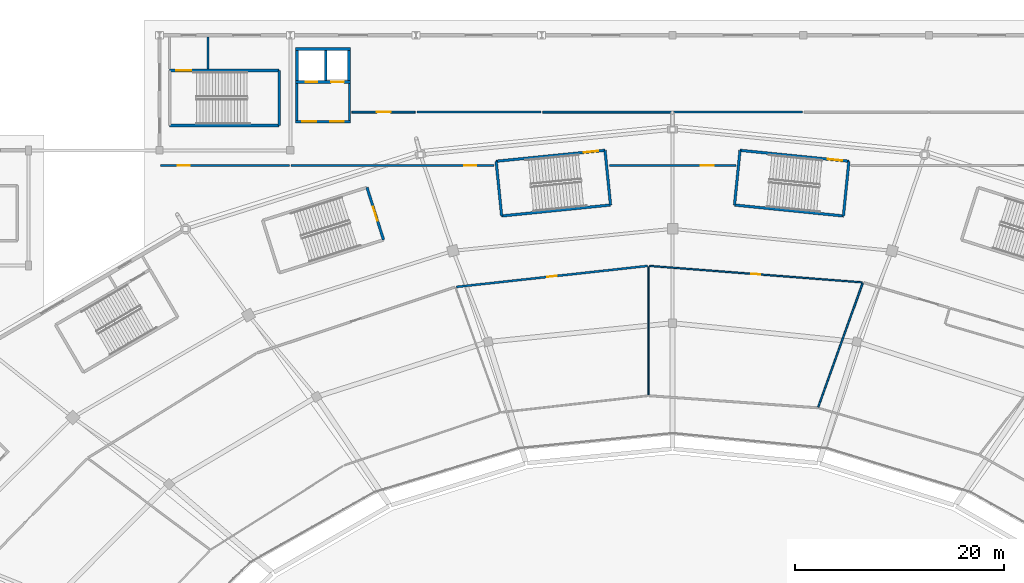
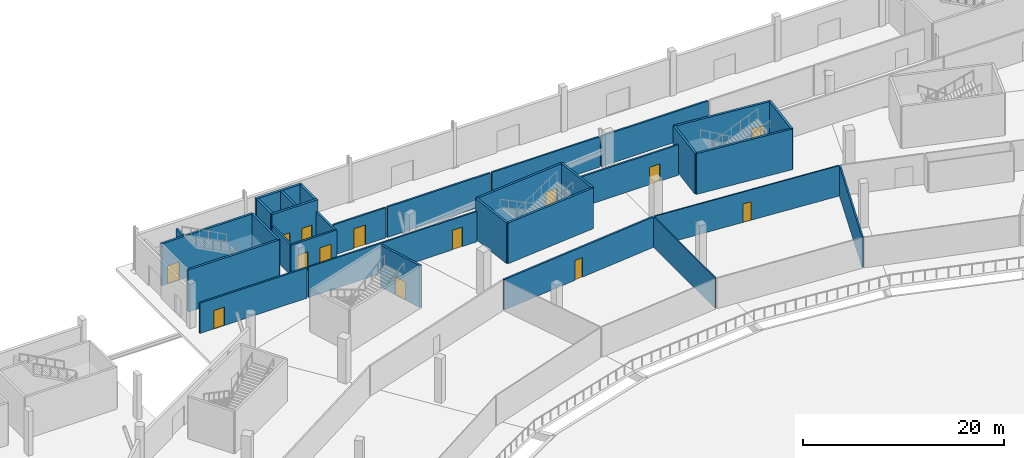
# One storey, part 50 of 82: 32 walls, 14 doors, 14 openings.
"""IFC4 building model written with IfcOpenShell, lengths in metres."""

from ifc_helpers import new_model, si_unit, direction, frame, frame_2d, origin, place, context, subcontext, project, spatial, rectangle, extrude, material, layer, layer_set, type_object, element, fill, save


model = new_model("IFC4")

# Units and contexts
model_context = context("Model", 3, precision=1e-05, world=origin(), true_north=direction((0.0, 1.0)))
body_context = subcontext(model_context, "Body", "Model", "MODEL_VIEW")
ifc_project = project(units=[si_unit("LENGTHUNIT", "METRE"), si_unit("AREAUNIT", "SQUARE_METRE"), si_unit("VOLUMEUNIT", "CUBIC_METRE"), si_unit("PLANEANGLEUNIT", "RADIAN"), si_unit("MASSUNIT", "GRAM", prefix="KILO")], contexts=[model_context])

# Site, building, storey
site_placement = place(None, origin())
site = spatial("IfcSite", under=ifc_project, at=site_placement, CompositionType="ELEMENT")
building_placement = place(site_placement, origin())
building = spatial("IfcBuilding", under=site, at=building_placement, Name="Zlatoyarsky Gate Stadium", CompositionType="ELEMENT")
storey_placement = place(building_placement, origin())
storey = spatial("IfcBuildingStorey", under=building, at=storey_placement, Name="L00", CompositionType="ELEMENT", Elevation=0.0)

# Wall, opening, door
ifc_material_1 = material(Name="Moisture-resistant masonry partition", Category="masonry")
ifc_layer_1 = layer(ifc_material_1, 0.139892578125)
ifc_layer_set_1 = layer_set([ifc_layer_1], Name="Moisture-resistant masonry partition")
wall_type_1 = type_object("IfcWallType", Name="ATHLETE CHANGING BLOCK PARTITION 140", PredefinedType="PARTITIONING", material=ifc_layer_set_1)
wall_1_placement = place(storey_placement, frame((129.10107421875, 136.392333984375, 0.0), z_axis=(0.0, 0.0, 1.0), x_axis=(-0.997013657181, 0.077225432307, 0.0)))
wall_1 = element("IfcWall", 1, at=wall_1_placement, inside=storey, type_object=wall_type_1, Name="L00 interior partition PRT-L00-ICC-05", PredefinedType="PARTITIONING", context=body_context, shape_type="SweptSolid", body=[
    extrude(rectangle(XDim=20.36572265625, YDim=0.139892578125, at=frame_2d((10.182861328125, 0.0))), origin(), (0.0, 0.0, 1.0), 3.68994140625),
])
opening_1_placement = place(wall_1_placement, frame((9.73291015625, 0.0, 0.0)))
opening_1 = element("IfcOpeningElement", 2, at=opening_1_placement, cuts=wall_1, Name="Opening D-L00-123", PredefinedType="OPENING", context=body_context, shape_type="SweptSolid", body=[
    extrude(rectangle(XDim=0.89990234375, YDim=2.239990234375, at=frame_2d((0.449951171875, 1.1201171875))), frame((0.0, 0.079833984375, 0.0), z_axis=(0.0, -1.0, 0.0), x_axis=(1.0, 0.0, 0.0)), (0.0, 0.0, 1.0), 0.159912109375),
])
ifc_material_2 = material(Name="Powder-coated steel fire door", Category="steel")
door_type_1 = type_object("IfcDoorType", Name="ACOUSTIC INTERIOR DOOR 900X2240", OperationType="NOTDEFINED", PredefinedType="DOOR", material=ifc_material_2)
door_1_placement = place(opening_1_placement, origin())
door_1 = element("IfcDoor", 3, at=door_1_placement, inside=storey, type_object=door_type_1, Name="L00 room door D-L00-123", OperationType="SINGLE_SWING_RIGHT", OverallHeight=2.239990234375, OverallWidth=0.89990234375, PredefinedType="DOOR", context=body_context, shape_type="SweptSolid", body=[
    extrude(rectangle(XDim=0.89990234375, YDim=2.239990234375, at=frame_2d((0.449951171875, 1.1201171875))), frame((0.0, 0.02490234375, 0.0), z_axis=(0.0, -1.0, 0.0), x_axis=(1.0, 0.0, 0.0)), (0.0, 0.0, 1.0), 0.050048828125),
])
fill(opening_1, door_1)

ifc_material_3 = material(Name="Gypsum-clad mineral wool fire partition", Category="gypsum")
ifc_layer_2 = layer(ifc_material_3, 0.199951171875)
ifc_layer_set_2 = layer_set([ifc_layer_2], Name="Gypsum-clad mineral wool fire partition")
wall_type_2 = type_object("IfcWallType", Name="COMPARTMENT FIRE PARTITION WALL 200", PredefinedType="PARTITIONING", material=ifc_layer_set_2)
wall_2_placement = place(storey_placement, frame((108.626953125, 137.96240234375, 0.0), z_axis=(0.0, 0.0, 1.0), x_axis=(-0.994034030754, -0.109070370416, 0.0)))
wall_2 = element("IfcWall", 4, at=wall_2_placement, inside=storey, type_object=wall_type_2, Name="L00 interior partition PRT-L00-ICC-06", PredefinedType="PARTITIONING", context=body_context, shape_type="SweptSolid", body=[
    extrude(rectangle(XDim=18.38818359375, YDim=0.199951171875, at=frame_2d((9.194091796875, 0.0))), origin(), (0.0, 0.0, 1.0), 3.68994140625),
])
opening_2_placement = place(wall_2_placement, frame((8.744140625, 0.0, 0.0)))
opening_2 = element("IfcOpeningElement", 5, at=opening_2_placement, cuts=wall_2, Name="Opening D-L00-126", PredefinedType="OPENING", context=body_context, shape_type="SweptSolid", body=[
    extrude(rectangle(XDim=0.89990234375, YDim=2.3798828125, at=frame_2d((0.449951171875, 1.18994140625))), frame((0.0, 0.10986328125, 0.0), z_axis=(0.0, -1.0, 0.0), x_axis=(1.0, 0.0, 0.0)), (0.0, 0.0, 1.0), 0.219970703125),
])
door_type_2 = type_object("IfcDoorType", Name="ACOUSTIC INTERIOR DOOR 900X2380", OperationType="NOTDEFINED", PredefinedType="DOOR", material=ifc_material_2)
door_2_placement = place(opening_2_placement, origin())
door_2 = element("IfcDoor", 6, at=door_2_placement, inside=storey, type_object=door_type_2, Name="L00 room door D-L00-126", OperationType="SINGLE_SWING_LEFT", OverallHeight=2.3798828125, OverallWidth=0.89990234375, PredefinedType="DOOR", context=body_context, shape_type="SweptSolid", body=[
    extrude(rectangle(XDim=0.89990234375, YDim=2.3798828125, at=frame_2d((0.449951171875, 1.18994140625))), frame((0.0, 0.02490234375, 0.0), z_axis=(0.0, -1.0, 0.0), x_axis=(1.0, 0.0, 0.0)), (0.0, 0.0, 1.0), 0.050048828125),
])
fill(opening_2, door_2)

wall_3_placement = place(storey_placement, frame((62.10498046875, 147.550048828125, 0.0), z_axis=(0.0, 0.0, 1.0), x_axis=(1.0, 0.0, 0.0)))
wall_3 = element("IfcWall", 7, at=wall_3_placement, inside=storey, type_object=wall_type_2, Name="L00 interior partition PRT-L00-V2NC-SW1A", PredefinedType="PARTITIONING", context=body_context, shape_type="SweptSolid", body=[
    extrude(rectangle(XDim=12.31005859375, YDim=0.199951171875, at=frame_2d((6.155029296875, 0.0))), origin(), (0.0, 0.0, 1.0), 3.68994140625),
])
opening_3_placement = place(wall_3_placement, frame((1.64990234375, 0.0, 0.0)))
opening_3 = element("IfcOpeningElement", 8, at=opening_3_placement, cuts=wall_3, Name="Opening D-L00-186", PredefinedType="OPENING", context=body_context, shape_type="SweptSolid", body=[
    extrude(rectangle(XDim=1.159912109375, YDim=2.239990234375, at=frame_2d((0.580078125, 1.1201171875))), frame((0.0, 0.10986328125, 0.0), z_axis=(0.0, -1.0, 0.0), x_axis=(1.0, 0.0, 0.0)), (0.0, 0.0, 1.0), 0.219970703125),
])
door_type_3 = type_object("IfcDoorType", Name="ACOUSTIC INTERIOR DOOR 1160X2240", OperationType="NOTDEFINED", PredefinedType="DOOR", material=ifc_material_2)
door_3_placement = place(opening_3_placement, origin())
door_3 = element("IfcDoor", 9, at=door_3_placement, inside=storey, type_object=door_type_3, Name="L00 room door D-L00-186", OperationType="SINGLE_SWING_RIGHT", OverallHeight=2.239990234375, OverallWidth=1.159912109375, PredefinedType="DOOR", context=body_context, shape_type="SweptSolid", body=[
    extrude(rectangle(XDim=1.159912109375, YDim=2.239990234375, at=frame_2d((0.580078125, 1.1201171875))), frame((0.0, 0.02490234375, 0.0), z_axis=(0.0, -1.0, 0.0), x_axis=(1.0, 0.0, 0.0)), (0.0, 0.0, 1.0), 0.050048828125),
])
fill(opening_3, door_3)

wall_4_placement = place(storey_placement, frame((104.96044921875, 147.550048828125, 0.0), z_axis=(0.0, 0.0, 1.0), x_axis=(1.0, 0.0, 0.0)))
wall_4 = element("IfcWall", 10, at=wall_4_placement, inside=storey, type_object=wall_type_2, Name="L00 interior partition PRT-L00-V2NC-S2", PredefinedType="PARTITIONING", context=body_context, shape_type="SweptSolid", body=[
    extrude(rectangle(XDim=12.079345703125, YDim=0.199951171875, at=frame_2d((6.03955078125, 0.0))), origin(), (0.0, 0.0, 1.0), 3.68994140625),
])
opening_4_placement = place(wall_4_placement, frame((8.729248046875, 0.0, 0.0)))
opening_4 = element("IfcOpeningElement", 11, at=opening_4_placement, cuts=wall_4, Name="Opening D-L00-188", PredefinedType="OPENING", context=body_context, shape_type="SweptSolid", body=[
    extrude(rectangle(XDim=1.239990234375, YDim=2.10009765625, at=frame_2d((0.6201171875, 1.050048828125))), frame((0.0, 0.10986328125, 0.0), z_axis=(0.0, -1.0, 0.0), x_axis=(1.0, 0.0, 0.0)), (0.0, 0.0, 1.0), 0.219970703125),
])
door_type_4 = type_object("IfcDoorType", Name="ACOUSTIC INTERIOR DOOR 1240X2100", OperationType="NOTDEFINED", PredefinedType="DOOR", material=ifc_material_2)
door_4_placement = place(opening_4_placement, origin())
door_4 = element("IfcDoor", 12, at=door_4_placement, inside=storey, type_object=door_type_4, Name="L00 room door D-L00-188", OperationType="SINGLE_SWING_RIGHT", OverallHeight=2.10009765625, OverallWidth=1.239990234375, PredefinedType="DOOR", context=body_context, shape_type="SweptSolid", body=[
    extrude(rectangle(XDim=1.239990234375, YDim=2.10009765625, at=frame_2d((0.6201171875, 1.050048828125))), frame((0.0, 0.02490234375, 0.0), z_axis=(0.0, -1.0, 0.0), x_axis=(1.0, 0.0, 0.0)), (0.0, 0.0, 1.0), 0.050048828125),
])
fill(opening_4, door_4)

# Walls
wall_5_placement = place(storey_placement, frame((86.5849609375, 152.64990234375, 0.0), z_axis=(0.0, 0.0, 1.0), x_axis=(1.0, 0.0, 0.0)))
element("IfcWall", 13, at=wall_5_placement, inside=storey, type_object=wall_type_2, Name="L00 interior partition PRT-L00-V2NC-N3_2", PredefinedType="PARTITIONING", context=body_context, shape_type="SweptSolid", body=[
    extrude(rectangle(XDim=11.830078125, YDim=0.199951171875, at=frame_2d((5.9150390625, 0.0))), origin(), (0.0, 0.0, 1.0), 3.68994140625),
])
wall_6_placement = place(storey_placement, frame((111.0849609375, 152.64990234375, 0.0), z_axis=(0.0, 0.0, 1.0), x_axis=(1.0, 0.0, 0.0)))
element("IfcWall", 14, at=wall_6_placement, inside=storey, type_object=wall_type_2, Name="L00 interior partition PRT-L00-V2NC-N3_4", PredefinedType="PARTITIONING", context=body_context, shape_type="SweptSolid", body=[
    extrude(rectangle(XDim=12.330078125, YDim=0.199951171875, at=frame_2d((6.1650390625, 0.0))), origin(), (0.0, 0.0, 1.0), 3.68994140625),
])
ifc_material_4 = material(Name="Concrete C40/50", Category="concrete")
ifc_layer_3 = layer(ifc_material_4, 0.27001953125)
ifc_layer_set_3 = layer_set([ifc_layer_3], Name="Concrete C40/50")
wall_type_3 = type_object("IfcWallType", Name="CONCRETE LIFT SHAFT SHEAR WALL 270", PredefinedType="SHEAR", material=ifc_layer_set_3)
wall_7_placement = place(storey_placement, frame((80.25, 158.6650390625, 0.0), z_axis=(0.0, 0.0, 1.0), x_axis=(-1.0, 0.0, 0.0)))
element("IfcWall", 15, at=wall_7_placement, inside=storey, type_object=wall_type_3, Name="C5 L00 lift shaft rear wall", PredefinedType="SHEAR", context=body_context, shape_type="SweptSolid", body=[
    extrude(rectangle(XDim=5.25, YDim=0.27001953125, at=frame_2d((2.625, 0.0))), origin(), (0.0, 0.0, 1.0), 5.10009765625),
])
for number, where, z_axis, x_axis, name in (
    (16, (80.114990234375, 158.52001953125, 0.0), (0.0, 0.0, 1.0), (0.0, -1.0, 0.0), "C5 L00 lift shaft left wall"),
    (17, (75.135009765625, 158.52001953125, 0.0), (0.0, 0.0, 1.0), (0.0, -1.0, 0.0), "C5 L00 lift shaft right wall"),
    (18, (77.875, 158.52001953125, 0.0), (0.0, 0.0, 1.0), (0.0, -1.0, 0.0), "C5 L00 lift shaft divider 1"),
):
    element("IfcWall", number, at=place(storey_placement, frame(where, z_axis=z_axis, x_axis=x_axis)), inside=storey, type_object=wall_type_3, Name=name, PredefinedType="SHEAR", context=body_context, shape_type="SweptSolid", body=[
        extrude(rectangle(XDim=2.840087890625, YDim=0.27001953125, at=frame_2d((1.419921875, 0.0))), origin(), (0.0, 0.0, 1.0), 5.10009765625),
    ])

# Wall, openings, doors
wall_8_placement = place(storey_placement, frame((80.25, 155.534912109375, 0.0), z_axis=(0.0, 0.0, 1.0), x_axis=(-1.0, 0.0, 0.0)))
wall_8 = element("IfcWall", 19, at=wall_8_placement, inside=storey, type_object=wall_type_3, Name="C5 L00 lift landing front wall", PredefinedType="SHEAR", context=body_context, shape_type="SweptSolid", body=[
    extrude(rectangle(XDim=5.25, YDim=0.27001953125, at=frame_2d((2.625, 0.0))), origin(), (0.0, 0.0, 1.0), 5.10009765625),
])
opening_5_placement = place(wall_8_placement, frame((0.64990234375, 0.0, 0.0)))
opening_5 = element("IfcOpeningElement", 20, at=opening_5_placement, cuts=wall_8, Name="Opening LD-FL-05-L00", PredefinedType="OPENING", context=body_context, shape_type="SweptSolid", body=[
    extrude(rectangle(XDim=1.199951171875, YDim=2.25, at=frame_2d((0.60009765625, 1.125))), frame((0.0, 0.14501953125, 0.0), z_axis=(0.0, -1.0, 0.0), x_axis=(1.0, 0.0, 0.0)), (0.0, 0.0, 1.0), 0.2900390625),
])
opening_6_placement = place(wall_8_placement, frame((3.199951171875, 0.0, 0.0)))
opening_6 = element("IfcOpeningElement", 21, at=opening_6_placement, cuts=wall_8, Name="Opening LD-LF-09-L00", PredefinedType="OPENING", context=body_context, shape_type="SweptSolid", body=[
    extrude(rectangle(XDim=1.10009765625, YDim=2.199951171875, at=frame_2d((0.550048828125, 1.10009765625))), frame((0.0, 0.14501953125, 0.0), z_axis=(0.0, -1.0, 0.0), x_axis=(1.0, 0.0, 0.0)), (0.0, 0.0, 1.0), 0.2900390625),
])
door_type_5 = type_object("IfcDoorType", Name="STAINLESS LIFT LANDING SLIDING DOOR 1100X2200", OperationType="DOUBLE_DOOR_SLIDING", PredefinedType="DOOR", material=ifc_material_2)
door_5_placement = place(opening_6_placement, origin())
door_5 = element("IfcDoor", 22, at=door_5_placement, inside=storey, type_object=door_type_5, Name="Lift LF-09 L00 sliding landing door", OperationType="DOUBLE_DOOR_SLIDING", OverallHeight=2.199951171875, OverallWidth=1.10009765625, PredefinedType="DOOR", context=body_context, shape_type="SweptSolid", body=[
    extrude(rectangle(XDim=1.10009765625, YDim=2.199951171875, at=frame_2d((0.550048828125, 1.10009765625))), frame((0.0, 0.02490234375, 0.0), z_axis=(0.0, -1.0, 0.0), x_axis=(1.0, 0.0, 0.0)), (0.0, 0.0, 1.0), 0.050048828125),
])
fill(opening_6, door_5)
door_type_6 = type_object("IfcDoorType", Name="STAINLESS LIFT LANDING SLIDING DOOR 1200X2250", OperationType="DOUBLE_DOOR_SLIDING", PredefinedType="DOOR", material=ifc_material_2)
door_6_placement = place(opening_5_placement, origin())
door_6 = element("IfcDoor", 23, at=door_6_placement, inside=storey, type_object=door_type_6, Name="Lift FL-05 L00 sliding landing door", OperationType="DOUBLE_DOOR_SLIDING", OverallHeight=2.25, OverallWidth=1.199951171875, PredefinedType="DOOR", context=body_context, shape_type="SweptSolid", body=[
    extrude(rectangle(XDim=1.199951171875, YDim=2.25, at=frame_2d((0.60009765625, 1.125))), frame((0.0, 0.02490234375, 0.0), z_axis=(0.0, -1.0, 0.0), x_axis=(1.0, 0.0, 0.0)), (0.0, 0.0, 1.0), 0.050048828125),
])
fill(opening_5, door_6)

# Wall
ifc_layer_4 = layer(ifc_material_4, 0.25)
ifc_layer_set_4 = layer_set([ifc_layer_4], Name="Concrete C40/50")
wall_type_4 = type_object("IfcWallType", Name="CONCRETE STAIR CORE SHEAR WALL 250", PredefinedType="SHEAR", material=ifc_layer_set_4)
wall_9_placement = place(storey_placement, frame((105.07861328125, 143.779052734375, 0.0), z_axis=(0.0, 0.0, 1.0), x_axis=(-0.100028593886, 0.994984562898, 0.0)))
element("IfcWall", 24, at=wall_9_placement, inside=storey, type_object=wall_type_4, Name="ST-04 L00 stair core entrance shear wall", PredefinedType="SHEAR", context=body_context, shape_type="SweptSolid", body=[
    extrude(rectangle(XDim=5.25, YDim=0.25, at=frame_2d((2.625, 0.0))), origin(), (0.0, 0.0, 1.0), 4.93994140625),
])

# Wall, opening, door
wall_10_placement = place(storey_placement, frame((104.553466796875, 149.002685546875, 0.0), z_axis=(0.0, 0.0, 1.0), x_axis=(-0.994985938948, -0.100014905366, 0.0)))
wall_10 = element("IfcWall", 25, at=wall_10_placement, inside=storey, type_object=wall_type_4, Name="ST-04 L00 stair core left shear wall", PredefinedType="SHEAR", context=body_context, shape_type="SweptSolid", body=[
    extrude(rectangle(XDim=10.4501953125, YDim=0.25, at=frame_2d((5.22509765625, 0.0))), origin(), (0.0, 0.0, 1.0), 4.93994140625),
])
opening_7_placement = place(wall_10_placement, frame((0.64990234375, 0.0, 0.0)))
opening_7 = element("IfcOpeningElement", 26, at=opening_7_placement, cuts=wall_10, Name="Opening SD-ST-04-L00", PredefinedType="OPENING", context=body_context, shape_type="SweptSolid", body=[
    extrude(rectangle(XDim=1.39990234375, YDim=2.199951171875, at=frame_2d((0.699951171875, 1.10009765625))), frame((0.0, 0.135009765625, 0.0), z_axis=(0.0, -1.0, 0.0), x_axis=(1.0, 0.0, 0.0)), (0.0, 0.0, 1.0), 0.27001953125),
])
door_type_7 = type_object("IfcDoorType", Name="STAIR CORE FIRE EXIT DOOR 1400X2200", OperationType="NOTDEFINED", PredefinedType="DOOR", material=ifc_material_2)
door_7_placement = place(opening_7_placement, frame((1.39990234375, 0.0, 0.0), z_axis=(0.0, 0.0, 1.0), x_axis=(-1.0, 0.0, 0.0)))
door_7 = element("IfcDoor", 27, at=door_7_placement, inside=storey, type_object=door_type_7, Name="ST-04 L00 protected exit discharge fire door", OperationType="SINGLE_SWING_RIGHT", OverallHeight=2.199951171875, OverallWidth=1.39990234375, PredefinedType="DOOR", context=body_context, shape_type="SweptSolid", body=[
    extrude(rectangle(XDim=1.39990234375, YDim=2.199951171875, at=frame_2d((0.699951171875, 1.10009765625))), frame((0.0, 0.02490234375, 0.0), z_axis=(0.0, -1.0, 0.0), x_axis=(1.0, 0.0, 0.0)), (0.0, 0.0, 1.0), 0.050048828125),
])
fill(opening_7, door_7)

# Walls
wall_11_placement = place(storey_placement, frame((94.15576171875, 147.95751953125, 0.0), z_axis=(0.0, 0.0, 1.0), x_axis=(0.100028593886, -0.994984562898, 0.0)))
element("IfcWall", 28, at=wall_11_placement, inside=storey, type_object=wall_type_4, Name="ST-04 L00 stair core far shear wall", PredefinedType="SHEAR", context=body_context, shape_type="SweptSolid", body=[
    extrude(rectangle(XDim=5.25, YDim=0.25, at=frame_2d((2.625, 0.0))), origin(), (0.0, 0.0, 1.0), 4.93994140625),
])
wall_12_placement = place(storey_placement, frame((94.680908203125, 142.73388671875, 0.0), z_axis=(0.0, 0.0, 1.0), x_axis=(0.994985938948, 0.100014905366, 0.0)))
element("IfcWall", 29, at=wall_12_placement, inside=storey, type_object=wall_type_4, Name="ST-04 L00 stair core right shear wall", PredefinedType="SHEAR", context=body_context, shape_type="SweptSolid", body=[
    extrude(rectangle(XDim=10.4501953125, YDim=0.25, at=frame_2d((5.22509765625, 0.0))), origin(), (0.0, 0.0, 1.0), 4.93994140625),
])

# Wall, opening, door
wall_13_placement = place(storey_placement, frame((83.400390625, 140.4521484375, 0.0), z_axis=(0.0, 0.0, 1.0), x_axis=(-0.30152749866, 0.953457480726, 0.0)))
wall_13 = element("IfcWall", 30, at=wall_13_placement, inside=storey, type_object=wall_type_4, Name="ST-14 L00 stair core entrance shear wall", PredefinedType="SHEAR", context=body_context, shape_type="SweptSolid", body=[
    extrude(rectangle(XDim=5.25, YDim=0.25, at=frame_2d((2.625, 0.0))), origin(), (0.0, 0.0, 1.0), 5.10009765625),
])
opening_8_placement = place(wall_13_placement, frame((1.925048828125, 0.0, 0.0)))
opening_8 = element("IfcOpeningElement", 31, at=opening_8_placement, cuts=wall_13, Name="Opening SD-ST-14-L00", PredefinedType="OPENING", context=body_context, shape_type="SweptSolid", body=[
    extrude(rectangle(XDim=1.39990234375, YDim=2.199951171875, at=frame_2d((0.699951171875, 1.10009765625))), frame((0.0, 0.135009765625, 0.0), z_axis=(0.0, -1.0, 0.0), x_axis=(1.0, 0.0, 0.0)), (0.0, 0.0, 1.0), 0.27001953125),
])
door_8_placement = place(opening_8_placement, frame((1.39990234375, 0.0, 0.0), z_axis=(0.0, 0.0, 1.0), x_axis=(-1.0, 0.0, 0.0)))
door_8 = element("IfcDoor", 32, at=door_8_placement, inside=storey, type_object=door_type_7, Name="ST-14 L00 stair fire door", OperationType="SINGLE_SWING_RIGHT", OverallHeight=2.199951171875, OverallWidth=1.39990234375, PredefinedType="DOOR", context=body_context, shape_type="SweptSolid", body=[
    extrude(rectangle(XDim=1.39990234375, YDim=2.199951171875, at=frame_2d((0.699951171875, 1.10009765625))), frame((0.0, 0.02490234375, 0.0), z_axis=(0.0, -1.0, 0.0), x_axis=(1.0, 0.0, 0.0)), (0.0, 0.0, 1.0), 0.050048828125),
])
fill(opening_8, door_8)

# Wall
wall_14_placement = place(storey_placement, frame((127.319091796875, 142.73388671875, 0.0), z_axis=(0.0, 0.0, 1.0), x_axis=(0.10002396577, 0.994985028165, 0.0)))
element("IfcWall", 33, at=wall_14_placement, inside=storey, type_object=wall_type_4, Name="ST-17 L00 stair core entrance shear wall", PredefinedType="SHEAR", context=body_context, shape_type="SweptSolid", body=[
    extrude(rectangle(XDim=5.250244140625, YDim=0.25, at=frame_2d((2.625, 0.0))), origin(), (0.0, 0.0, 1.0), 4.93994140625),
])

# Wall, opening, door
wall_15_placement = place(storey_placement, frame((127.84423828125, 147.957763671875, 0.0), z_axis=(0.0, 0.0, 1.0), x_axis=(-0.994988263568, 0.09999177647, 0.0)))
wall_15 = element("IfcWall", 34, at=wall_15_placement, inside=storey, type_object=wall_type_4, Name="ST-17 L00 stair core left shear wall", PredefinedType="SHEAR", context=body_context, shape_type="SweptSolid", body=[
    extrude(rectangle(XDim=10.4501953125, YDim=0.25, at=frame_2d((5.22509765625, 0.0))), origin(), (0.0, 0.0, 1.0), 4.93994140625),
])
opening_9_placement = place(wall_15_placement, frame((0.64990234375, 0.0, 0.0)))
opening_9 = element("IfcOpeningElement", 35, at=opening_9_placement, cuts=wall_15, Name="Opening SD-ST-17-L00", PredefinedType="OPENING", context=body_context, shape_type="SweptSolid", body=[
    extrude(rectangle(XDim=1.39990234375, YDim=2.199951171875, at=frame_2d((0.699951171875, 1.10009765625))), frame((0.0, 0.135009765625, 0.0), z_axis=(0.0, -1.0, 0.0), x_axis=(1.0, 0.0, 0.0)), (0.0, 0.0, 1.0), 0.27001953125),
])
door_9_placement = place(opening_9_placement, frame((1.39990234375, 0.0, 0.0), z_axis=(0.0, 0.0, 1.0), x_axis=(-1.0, 0.0, 0.0)))
door_9 = element("IfcDoor", 36, at=door_9_placement, inside=storey, type_object=door_type_7, Name="ST-17 L00 protected exit discharge fire door", OperationType="SINGLE_SWING_RIGHT", OverallHeight=2.199951171875, OverallWidth=1.39990234375, PredefinedType="DOOR", context=body_context, shape_type="SweptSolid", body=[
    extrude(rectangle(XDim=1.39990234375, YDim=2.199951171875, at=frame_2d((0.699951171875, 1.10009765625))), frame((0.0, 0.02490234375, 0.0), z_axis=(0.0, -1.0, 0.0), x_axis=(1.0, 0.0, 0.0)), (0.0, 0.0, 1.0), 0.050048828125),
])
fill(opening_9, door_9)

# Walls
wall_16_placement = place(storey_placement, frame((117.446533203125, 149.002685546875, 0.0), z_axis=(0.0, 0.0, 1.0), x_axis=(-0.099982555566, -0.994989190184, 0.0)))
element("IfcWall", 37, at=wall_16_placement, inside=storey, type_object=wall_type_4, Name="ST-17 L00 stair core far shear wall", PredefinedType="SHEAR", context=body_context, shape_type="SweptSolid", body=[
    extrude(rectangle(XDim=5.25, YDim=0.25, at=frame_2d((2.625, 0.0))), origin(), (0.0, 0.0, 1.0), 4.93994140625),
])
wall_17_placement = place(storey_placement, frame((116.921630859375, 143.779052734375, 0.0), z_axis=(0.0, 0.0, 1.0), x_axis=(0.994985705245, -0.100017230303, 0.0)))
element("IfcWall", 38, at=wall_17_placement, inside=storey, type_object=wall_type_4, Name="ST-17 L00 stair core right shear wall", PredefinedType="SHEAR", context=body_context, shape_type="SweptSolid", body=[
    extrude(rectangle(XDim=10.449951171875, YDim=0.25, at=frame_2d((5.22509765625, 0.0))), origin(), (0.0, 0.0, 1.0), 4.93994140625),
])
wall_18_placement = place(storey_placement, frame((62.97509765625, 151.375, 0.0), z_axis=(0.0, 0.0, 1.0), x_axis=(1.0, 0.0, 0.0)))
element("IfcWall", 39, at=wall_18_placement, inside=storey, type_object=wall_type_4, Name="ST-31 L00 stair core left shear wall", PredefinedType="SHEAR", context=body_context, shape_type="SweptSolid", body=[
    extrude(rectangle(XDim=10.449951171875, YDim=0.25, at=frame_2d((5.22509765625, 0.0))), origin(), (0.0, 0.0, 1.0), 5.10009765625),
])
wall_19_placement = place(storey_placement, frame((73.425048828125, 151.375, 0.0), z_axis=(0.0, 0.0, 1.0), x_axis=(0.0, 1.0, 0.0)))
element("IfcWall", 40, at=wall_19_placement, inside=storey, type_object=wall_type_4, Name="ST-31 L00 stair core far shear wall", PredefinedType="SHEAR", context=body_context, shape_type="SweptSolid", body=[
    extrude(rectangle(XDim=5.25, YDim=0.25, at=frame_2d((2.625, 0.0))), origin(), (0.0, 0.0, 1.0), 5.10009765625),
])

# Wall, opening, door
wall_20_placement = place(storey_placement, frame((73.425048828125, 156.625, 0.0), z_axis=(0.0, 0.0, 1.0), x_axis=(-1.0, 0.0, 0.0)))
wall_20 = element("IfcWall", 41, at=wall_20_placement, inside=storey, type_object=wall_type_4, Name="ST-31 L00 stair core right shear wall", PredefinedType="SHEAR", context=body_context, shape_type="SweptSolid", body=[
    extrude(rectangle(XDim=10.449951171875, YDim=0.25, at=frame_2d((5.22509765625, 0.0))), origin(), (0.0, 0.0, 1.0), 5.10009765625),
])
opening_10_placement = place(wall_20_placement, frame((8.39990234375, 0.0, 0.0)))
opening_10 = element("IfcOpeningElement", 42, at=opening_10_placement, cuts=wall_20, Name="Opening SD-ST-31-L00", PredefinedType="OPENING", context=body_context, shape_type="SweptSolid", body=[
    extrude(rectangle(XDim=1.39990234375, YDim=2.199951171875, at=frame_2d((0.699951171875, 1.10009765625))), frame((0.0, 0.135009765625, 0.0), z_axis=(0.0, -1.0, 0.0), x_axis=(1.0, 0.0, 0.0)), (0.0, 0.0, 1.0), 0.27001953125),
])
door_10_placement = place(opening_10_placement, frame((1.39990234375, 0.0, 0.0), z_axis=(0.0, 0.0, 1.0), x_axis=(-1.0, 0.0, 0.0)))
door_10 = element("IfcDoor", 43, at=door_10_placement, inside=storey, type_object=door_type_7, Name="ST-31 L00 protected exit discharge fire door", OperationType="SINGLE_SWING_RIGHT", OverallHeight=2.199951171875, OverallWidth=1.39990234375, PredefinedType="DOOR", context=body_context, shape_type="SweptSolid", body=[
    extrude(rectangle(XDim=1.39990234375, YDim=2.199951171875, at=frame_2d((0.699951171875, 1.10009765625))), frame((0.0, 0.02490234375, 0.0), z_axis=(0.0, -1.0, 0.0), x_axis=(1.0, 0.0, 0.0)), (0.0, 0.0, 1.0), 0.050048828125),
])
fill(opening_10, door_10)

# Walls
ifc_material_5 = material(Name="Autoclaved aerated concrete masonry EI 120", Category="masonry")
ifc_layer_5 = layer(ifc_material_5, 0.219970703125)
ifc_layer_set_5 = layer_set([ifc_layer_5], Name="Autoclaved aerated concrete masonry EI 120")
wall_type_5 = type_object("IfcWallType", Name="FIREFIGHTING LOBBY RATED WALL 220", PredefinedType="PARTITIONING", material=ifc_layer_set_5)
wall_21_placement = place(storey_placement, frame((66.639892578125, 156.760009765625, 0.0), z_axis=(0.0, 0.0, 1.0), x_axis=(0.0, 1.0, 0.0)))
element("IfcWall", 44, at=wall_21_placement, inside=storey, type_object=wall_type_5, Name="ST-31 L00 protected exit lobby EI 120 wall 2", PredefinedType="PARTITIONING", context=body_context, shape_type="SweptSolid", body=[
    extrude(rectangle(XDim=3.050048828125, YDim=0.219970703125, at=frame_2d((1.52490234375, 0.0))), origin(), (0.0, 0.0, 1.0), 3.68994140625),
])
for number, where, z_axis, x_axis, name in (
    (45, (80.139892578125, 155.3798828125, 0.0), (0.0, 0.0, 1.0), (0.0, -1.0, 0.0), "C5 L00 firefighting lobby left wall"),
    (46, (75.110107421875, 155.3798828125, 0.0), (0.0, 0.0, 1.0), (0.0, -1.0, 0.0), "C5 L00 firefighting lobby right wall"),
):
    element("IfcWall", number, at=place(storey_placement, frame(where, z_axis=z_axis, x_axis=x_axis)), inside=storey, type_object=wall_type_5, Name=name, PredefinedType="PARTITIONING", context=body_context, shape_type="SweptSolid", body=[
        extrude(rectangle(XDim=3.52978515625, YDim=0.219970703125, at=frame_2d((1.764892578125, 0.0))), origin(), (0.0, 0.0, 1.0), 3.68994140625),
    ])

# Wall, openings, doors
wall_22_placement = place(storey_placement, frame((80.25, 151.739990234375, 0.0), z_axis=(0.0, 0.0, 1.0), x_axis=(-1.0, 0.0, 0.0)))
wall_22 = element("IfcWall", 47, at=wall_22_placement, inside=storey, type_object=wall_type_5, Name="C5 L00 firefighting lobby front wall", PredefinedType="PARTITIONING", context=body_context, shape_type="SweptSolid", body=[
    extrude(rectangle(XDim=5.25, YDim=0.219970703125, at=frame_2d((2.625, 0.0))), origin(), (0.0, 0.0, 1.0), 3.68994140625),
])
opening_11_placement = place(wall_22_placement, frame((0.64990234375, 0.0, 0.0)))
opening_11 = element("IfcOpeningElement", 48, at=opening_11_placement, cuts=wall_22, Name="Opening FD-C5-L00-A", PredefinedType="OPENING", context=body_context, shape_type="SweptSolid", body=[
    extrude(rectangle(XDim=1.300048828125, YDim=2.199951171875, at=frame_2d((0.64990234375, 1.10009765625))), frame((0.0, 0.119873046875, 0.0), z_axis=(0.0, -1.0, 0.0), x_axis=(1.0, 0.0, 0.0)), (0.0, 0.0, 1.0), 0.239990234375),
])
opening_12_placement = place(wall_22_placement, frame((3.300048828125, 0.0, 0.0)))
opening_12 = element("IfcOpeningElement", 49, at=opening_12_placement, cuts=wall_22, Name="Opening FD-C5-L00-B", PredefinedType="OPENING", context=body_context, shape_type="SweptSolid", body=[
    extrude(rectangle(XDim=1.300048828125, YDim=2.199951171875, at=frame_2d((0.64990234375, 1.10009765625))), frame((0.0, 0.119873046875, 0.0), z_axis=(0.0, -1.0, 0.0), x_axis=(1.0, 0.0, 0.0)), (0.0, 0.0, 1.0), 0.239990234375),
])
door_type_8 = type_object("IfcDoorType", Name="FIREFIGHTING LOBBY FIRE DOOR 1300X2200", OperationType="NOTDEFINED", PredefinedType="DOOR", material=ifc_material_2)
door_11_placement = place(opening_11_placement, origin())
door_11 = element("IfcDoor", 50, at=door_11_placement, inside=storey, type_object=door_type_8, Name="C5 L00 firefighting lobby fire door FD-C5-L00-A", OperationType="SINGLE_SWING_LEFT", OverallHeight=2.199951171875, OverallWidth=1.300048828125, PredefinedType="DOOR", context=body_context, shape_type="SweptSolid", body=[
    extrude(rectangle(XDim=1.300048828125, YDim=2.199951171875, at=frame_2d((0.64990234375, 1.10009765625))), frame((0.0, 0.02490234375, 0.0), z_axis=(0.0, -1.0, 0.0), x_axis=(1.0, 0.0, 0.0)), (0.0, 0.0, 1.0), 0.050048828125),
])
fill(opening_11, door_11)
door_12_placement = place(opening_12_placement, origin())
door_12 = element("IfcDoor", 51, at=door_12_placement, inside=storey, type_object=door_type_8, Name="C5 L00 firefighting lobby fire door FD-C5-L00-B", OperationType="SINGLE_SWING_RIGHT", OverallHeight=2.199951171875, OverallWidth=1.300048828125, PredefinedType="DOOR", context=body_context, shape_type="SweptSolid", body=[
    extrude(rectangle(XDim=1.300048828125, YDim=2.199951171875, at=frame_2d((0.64990234375, 1.10009765625))), frame((0.0, 0.02490234375, 0.0), z_axis=(0.0, -1.0, 0.0), x_axis=(1.0, 0.0, 0.0)), (0.0, 0.0, 1.0), 0.050048828125),
])
fill(opening_12, door_12)

# Wall
ifc_material_6 = material(Name="Acoustic metal-stud gypsum partition", Category="gypsum")
ifc_layer_6 = layer(ifc_material_6, 0.159912109375)
ifc_layer_set_6 = layer_set([ifc_layer_6], Name="Acoustic metal-stud gypsum partition")
wall_type_6 = type_object("IfcWallType", Name="HOSPITALITY SUITE PARTITION 160", PredefinedType="PARTITIONING", material=ifc_layer_set_6)
wall_23_placement = place(storey_placement, frame((124.918212890625, 124.48876953125, 0.0), z_axis=(0.0, 0.0, 1.0), x_axis=(0.337639466365, 0.94127551267, 0.0)))
element("IfcWall", 52, at=wall_23_placement, inside=storey, type_object=wall_type_6, Name="L00 interior partition PRT-L00-IRD-05", PredefinedType="PARTITIONING", context=body_context, shape_type="SweptSolid", body=[
    extrude(rectangle(XDim=12.55419921875, YDim=0.159912109375, at=frame_2d((6.277099609375, 0.0))), origin(), (0.0, 0.0, 1.0), 3.68994140625),
])

# Wall, opening, door
ifc_layer_7 = layer(ifc_material_3, 0.179931640625)
ifc_layer_set_7 = layer_set([ifc_layer_7], Name="Gypsum-clad mineral wool fire partition")
wall_type_7 = type_object("IfcWallType", Name="PLANT AND KITCHEN RATED WALL 180", PredefinedType="PARTITIONING", material=ifc_layer_set_7)
wall_24_placement = place(storey_placement, frame((74.5849609375, 147.550048828125, 0.0), z_axis=(0.0, 0.0, 1.0), x_axis=(1.0, 0.0, 0.0)))
wall_24 = element("IfcWall", 53, at=wall_24_placement, inside=storey, type_object=wall_type_7, Name="L00 interior partition PRT-L00-V2NC-SW1B", PredefinedType="PARTITIONING", context=body_context, shape_type="SweptSolid", body=[
    extrude(rectangle(XDim=19.350830078125, YDim=0.179931640625, at=frame_2d((9.67529296875, 0.0))), origin(), (0.0, 0.0, 1.0), 3.68994140625),
])
opening_13_placement = place(wall_24_placement, frame((16.5, 0.0, 0.0)))
opening_13 = element("IfcOpeningElement", 54, at=opening_13_placement, cuts=wall_24, Name="Opening D-L00-187", PredefinedType="OPENING", context=body_context, shape_type="SweptSolid", body=[
    extrude(rectangle(XDim=1.159912109375, YDim=2.3798828125, at=frame_2d((0.580078125, 1.18994140625))), frame((0.0, 0.099853515625, 0.0), z_axis=(0.0, -1.0, 0.0), x_axis=(1.0, 0.0, 0.0)), (0.0, 0.0, 1.0), 0.199951171875),
])
door_type_9 = type_object("IfcDoorType", Name="ACOUSTIC INTERIOR DOOR 1160X2380", OperationType="NOTDEFINED", PredefinedType="DOOR", material=ifc_material_2)
door_13_placement = place(opening_13_placement, origin())
door_13 = element("IfcDoor", 55, at=door_13_placement, inside=storey, type_object=door_type_9, Name="L00 room door D-L00-187", OperationType="SINGLE_SWING_LEFT", OverallHeight=2.3798828125, OverallWidth=1.159912109375, PredefinedType="DOOR", context=body_context, shape_type="SweptSolid", body=[
    extrude(rectangle(XDim=1.159912109375, YDim=2.3798828125, at=frame_2d((0.580078125, 1.18994140625))), frame((0.0, 0.02490234375, 0.0), z_axis=(0.0, -1.0, 0.0), x_axis=(1.0, 0.0, 0.0)), (0.0, 0.0, 1.0), 0.050048828125),
])
fill(opening_13, door_13)

wall_25_placement = place(storey_placement, frame((80.385009765625, 152.64990234375, 0.0), z_axis=(0.0, 0.0, 1.0), x_axis=(1.0, 0.0, 0.0)))
wall_25 = element("IfcWall", 56, at=wall_25_placement, inside=storey, type_object=wall_type_7, Name="L00 interior partition PRT-L00-V2NC-N3_1", PredefinedType="PARTITIONING", context=body_context, shape_type="SweptSolid", body=[
    extrude(rectangle(XDim=6.030029296875, YDim=0.179931640625, at=frame_2d((3.01513671875, 0.0))), origin(), (0.0, 0.0, 1.0), 3.68994140625),
])
opening_14_placement = place(wall_25_placement, frame((2.344970703125, 0.0, 0.0)))
opening_14 = element("IfcOpeningElement", 57, at=opening_14_placement, cuts=wall_25, Name="Opening D-L00-191", PredefinedType="OPENING", context=body_context, shape_type="SweptSolid", body=[
    extrude(rectangle(XDim=1.340087890625, YDim=2.3798828125, at=frame_2d((0.669921875, 1.18994140625))), frame((0.0, 0.099853515625, 0.0), z_axis=(0.0, -1.0, 0.0), x_axis=(1.0, 0.0, 0.0)), (0.0, 0.0, 1.0), 0.199951171875),
])
door_type_10 = type_object("IfcDoorType", Name="ACOUSTIC INTERIOR DOOR 1340X2380", OperationType="NOTDEFINED", PredefinedType="DOOR", material=ifc_material_2)
door_14_placement = place(opening_14_placement, origin())
door_14 = element("IfcDoor", 58, at=door_14_placement, inside=storey, type_object=door_type_10, Name="L00 room door D-L00-191", OperationType="SINGLE_SWING_LEFT", OverallHeight=2.3798828125, OverallWidth=1.340087890625, PredefinedType="DOOR", context=body_context, shape_type="SweptSolid", body=[
    extrude(rectangle(XDim=1.340087890625, YDim=2.3798828125, at=frame_2d((0.669921875, 1.18994140625))), frame((0.0, 0.02490234375, 0.0), z_axis=(0.0, -1.0, 0.0), x_axis=(1.0, 0.0, 0.0)), (0.0, 0.0, 1.0), 0.050048828125),
])
fill(opening_14, door_14)

# Walls
wall_26_placement = place(storey_placement, frame((98.5849609375, 152.64990234375, 0.0), z_axis=(0.0, 0.0, 1.0), x_axis=(1.0, 0.0, 0.0)))
element("IfcWall", 59, at=wall_26_placement, inside=storey, type_object=wall_type_7, Name="L00 interior partition PRT-L00-V2NC-N3_3", PredefinedType="PARTITIONING", context=body_context, shape_type="SweptSolid", body=[
    extrude(rectangle(XDim=12.330078125, YDim=0.179931640625, at=frame_2d((6.1650390625, 0.0))), origin(), (0.0, 0.0, 1.0), 3.68994140625),
])
ifc_material_7 = material(Name="Moisture-resistant tile-backed partition", Category="gypsum")
ifc_layer_8 = layer(ifc_material_7, 0.1298828125)
ifc_layer_set_8 = layer_set([ifc_layer_8], Name="Moisture-resistant tile-backed partition")
wall_type_8 = type_object("IfcWallType", Name="SANITARY WET ROOM PARTITION 130", PredefinedType="PARTITIONING", material=ifc_layer_set_8)
wall_27_placement = place(storey_placement, frame((108.71142578125, 125.65576171875, 0.0), z_axis=(0.0, 0.0, 1.0), x_axis=(0.0, 1.0, 0.0)))
element("IfcWall", 60, at=wall_27_placement, inside=storey, type_object=wall_type_8, Name="L00 interior partition PRT-L00-IRD-06", PredefinedType="PARTITIONING", context=body_context, shape_type="SweptSolid", body=[
    extrude(rectangle(XDim=12.23095703125, YDim=0.1298828125, at=frame_2d((6.115478515625, 0.0))), origin(), (0.0, 0.0, 1.0), 3.68994140625),
])

save(model, "model.ifc")
